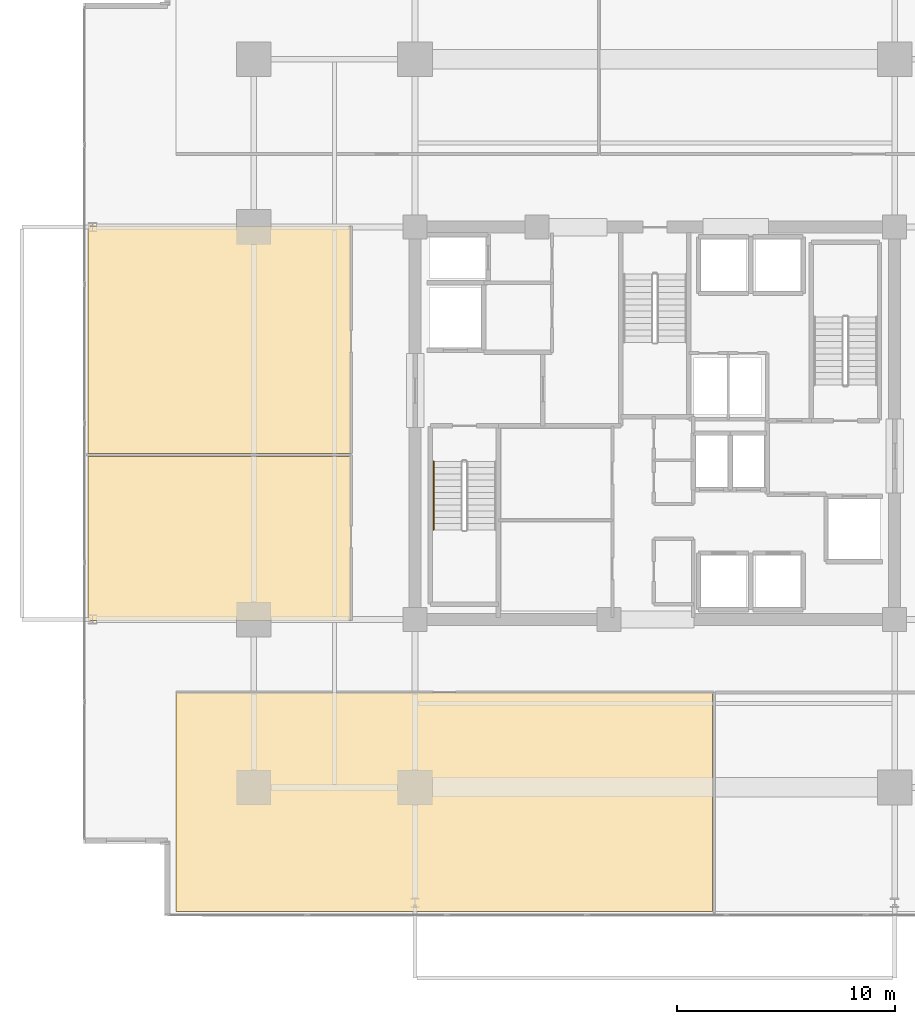
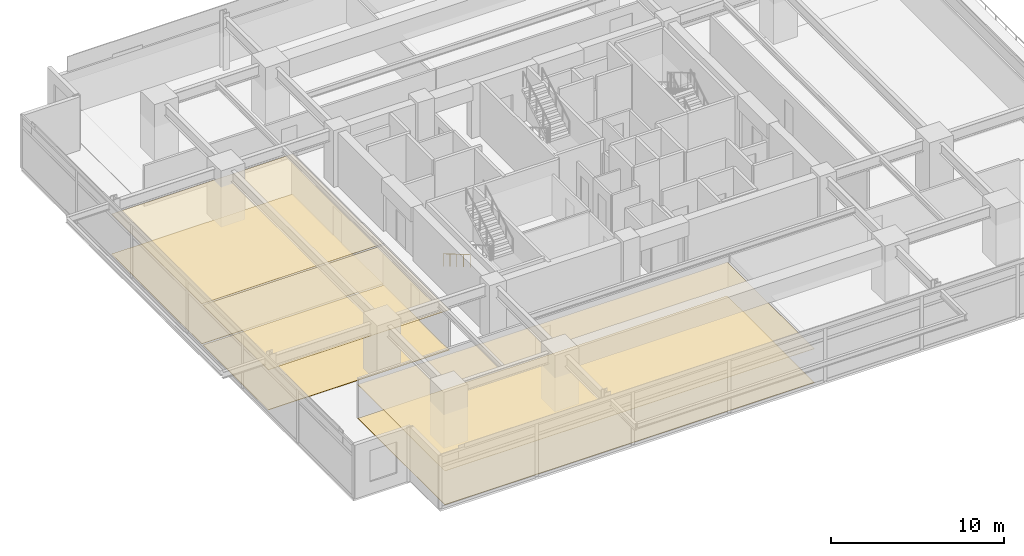
# One storey, part 20 of 24: 6 coverings, 1 railing.
"""IFC4 building model written with IfcOpenShell, lengths in metres."""

import ifcopenshell
import ifcopenshell.guid

model = None  # the IFC model being written
_history = None  # IfcOwnerHistory: only IFC2X3 demands one
_inside = {}  # id of a spatial element -> (the spatial element, [elements in it])
_under = {}  # id of a project, library or spatial element -> (it, [spatial elements below it])
_declared = {}  # id of a project -> (the project, [libraries it declares])
_typed = {}  # id of a type object -> (the type object, [elements of that type])
_made_of = {}  # id of a material, layer set ... -> (it, [elements and type objects made of it])


def new_model(schema):
    """Start an empty IFC model of exactly this schema.

    Asked for "IFC4X3", IfcOpenShell would pick the latest addendum, in which some entities
    have other attributes; the version numbers below select the first issue.
    IFC2X3 requires an IfcOwnerHistory on every rooted entity: one is made here for all.
    """
    global model, _history
    if schema == "IFC4X3":
        model = ifcopenshell.file(schema_version=(4, 3, 0, 0))
    else:
        model = ifcopenshell.file(schema=schema)
    _inside.clear()
    _under.clear()
    _declared.clear()
    _typed.clear()
    _made_of.clear()
    _history = None
    if model.schema == "IFC2X3":
        org = make("IfcOrganization", Name="unknown")
        user = make(
            "IfcPersonAndOrganization",
            ThePerson=make("IfcPerson", FamilyName="unknown"),
            TheOrganization=org,
        )
        app = make(
            "IfcApplication",
            ApplicationDeveloper=org,
            Version="unknown",
            ApplicationFullName="unknown",
            ApplicationIdentifier="unknown",
        )
        _history = make(
            "IfcOwnerHistory",
            OwningUser=user,
            OwningApplication=app,
            ChangeAction="ADDED",
            CreationDate=0,
        )
    return model


def make(cls, **values):
    """One entity of the class cls with the attributes given. An attribute that is None is left unset."""
    return model.create_entity(
        cls, **{name: value for name, value in values.items() if value is not None}
    )


def rooted(cls, **values):
    """An entity with a GlobalId (a new one), such as an element, a storey or a relation."""
    return make(cls, GlobalId=ifcopenshell.guid.new(), OwnerHistory=_history, **values)


def si_unit(unit_type, name, prefix=None):
    """IfcSIUnit, for example si_unit("LENGTHUNIT", "METRE", prefix="MILLI")."""
    return make("IfcSIUnit", UnitType=unit_type, Prefix=prefix, Name=name)


def assignment(units):
    """IfcUnitAssignment: the units of a project."""
    return None if units is None else make("IfcUnitAssignment", Units=units)


def point(xyz):
    """IfcCartesianPoint."""
    return None if xyz is None else make("IfcCartesianPoint", Coordinates=xyz)


def direction(xyz):
    """IfcDirection."""
    return None if xyz is None else make("IfcDirection", DirectionRatios=xyz)


def frame(location, z_axis=None, x_axis=None):
    """IfcAxis2Placement3D, a coordinate frame: its origin and axes. An axis left out is left unset."""
    return make(
        "IfcAxis2Placement3D",
        Location=point(location),
        Axis=direction(z_axis),
        RefDirection=direction(x_axis),
    )


def frame_2d(location, x_axis=None):
    """IfcAxis2Placement2D, a coordinate frame in the plane: its origin and x axis."""
    return make(
        "IfcAxis2Placement2D", Location=point(location), RefDirection=direction(x_axis)
    )


def origin():
    """The frame at (0, 0, 0) with its axes left unset."""
    return frame((0.0, 0.0, 0.0))


def origin_2d():
    """The frame at (0, 0) in the plane with its x axis left unset."""
    return frame_2d((0.0, 0.0))


def place(relative_to, where):
    """IfcLocalPlacement: puts the frame where relative to a parent placement (None: the world)."""
    return make(
        "IfcLocalPlacement", PlacementRelTo=relative_to, RelativePlacement=where
    )


def context(
    kind, dimensions, precision=None, world=None, true_north=None, identifier=None
):
    """IfcGeometricRepresentationContext, for example the 3D "Model" context."""
    return make(
        "IfcGeometricRepresentationContext",
        ContextIdentifier=identifier,
        ContextType=kind,
        CoordinateSpaceDimension=dimensions,
        Precision=precision,
        WorldCoordinateSystem=world,
        TrueNorth=true_north,
    )


def subcontext(parent, identifier, kind, view, scale=None):
    """IfcGeometricRepresentationSubContext, for example "Body" below "Model"."""
    return make(
        "IfcGeometricRepresentationSubContext",
        ContextIdentifier=identifier,
        ContextType=kind,
        ParentContext=parent,
        TargetScale=scale,
        TargetView=view,
    )


def project(units=None, contexts=None):
    """IfcProject with its units and contexts."""
    return rooted(
        "IfcProject",
        Name="project",
        RepresentationContexts=contexts,
        UnitsInContext=assignment(units),
    )


def spatial(cls, under=None, at=None, **own):
    """A site, building, storey or space (cls), placed at a placement, below another one or the project."""
    s = rooted(cls, ObjectPlacement=at, **own)
    if under is not None:
        _under.setdefault(under.id(), (under, []))[1].append(s)
    return s


def polyline(points):
    """IfcPolyline through the points."""
    return make("IfcPolyline", Points=[point(p) for p in points])


def profile(cls, at=None, kind="AREA", **sizes):
    """A parametric profile (cls). Its sizes go by their IFC names, for example OverallWidth=200.0."""
    return make(cls, ProfileType=kind, Position=at, **sizes)


def circle(**sizes):
    """IfcCircleProfileDef."""
    return profile("IfcCircleProfileDef", **sizes)


def outline(outer, holes=None, kind="AREA"):
    """IfcArbitraryClosedProfileDef: a profile drawn as a closed curve; with holes, ...WithVoids."""
    if holes is None:
        return make("IfcArbitraryClosedProfileDef", ProfileType=kind, OuterCurve=outer)
    return make(
        "IfcArbitraryProfileDefWithVoids",
        ProfileType=kind,
        OuterCurve=outer,
        InnerCurves=holes,
    )


def extrude(swept, where, along, depth):
    """IfcExtrudedAreaSolid: the profile swept, set in the frame where, extruded along a direction by depth."""
    return make(
        "IfcExtrudedAreaSolid",
        SweptArea=swept,
        Position=where,
        ExtrudedDirection=direction(along),
        Depth=depth,
    )


def shape(context_of_items, identifier, shape_type, items):
    """IfcShapeRepresentation: the items that make up one representation, for example the "Body"."""
    return make(
        "IfcShapeRepresentation",
        ContextOfItems=context_of_items,
        RepresentationIdentifier=identifier,
        RepresentationType=shape_type,
        Items=items,
    )


def material(Name=None, Category=None):
    """IfcMaterial."""
    return make("IfcMaterial", Name=Name, Category=Category)


def layer(
    of_material, thickness, ventilated=None, Name=None, Category=None, Priority=None
):
    """IfcMaterialLayer: one layer of a wall or slab, of a material (None: an air gap)."""
    return make(
        "IfcMaterialLayer",
        Material=of_material,
        LayerThickness=thickness,
        IsVentilated=ventilated,
        Name=Name,
        Category=Category,
        Priority=Priority,
    )


def layer_set(layers, Name=None):
    """IfcMaterialLayerSet."""
    return make("IfcMaterialLayerSet", MaterialLayers=layers, LayerSetName=Name)


def made_of(thing, what):
    """Note that an element or type object is made of a material, layer set ...; save() writes the relation."""
    if what is not None:
        _made_of.setdefault(what.id(), (what, []))[1].append(thing)
    return thing


def type_object(cls, material=None, **own):
    """A type object (cls), such as IfcWallType, which elements share."""
    return made_of(rooted(cls, **own), material)


def element(
    cls,
    number,
    at=None,
    inside=None,
    cuts=None,
    type_object=None,
    material=None,
    context=None,
    identifier="Body",
    shape_type=None,
    held_by="IfcProductDefinitionShape",
    body=None,
    shapes=None,
    **own,
):
    """One element of the class cls, such as IfcWall. Its Tag is "e" and its number.

    at: its placement. inside: the storey or other place that contains it. cuts: it is an
    opening in that element (IfcRelVoidsElement). A single representation is given by context,
    identifier, shape_type and body (its items); several are given by shapes. held_by: the class
    of the entity that holds the representations. save() writes the other relations.
    """
    e = rooted(cls, Tag="e%d" % number, ObjectPlacement=at, **own)
    if body is not None:
        shapes = [shape(context, identifier, shape_type, body)]
    if shapes is not None:
        e.Representation = make(held_by, Representations=shapes)
    if inside is not None:
        _inside.setdefault(inside.id(), (inside, []))[1].append(e)
    if cuts is not None:
        rooted(
            "IfcRelVoidsElement", RelatingBuildingElement=cuts, RelatedOpeningElement=e
        )
    if type_object is not None:
        _typed.setdefault(type_object.id(), (type_object, []))[1].append(e)
    return made_of(e, material)


def aggregate(whole, parts):
    """IfcRelAggregates: a whole, such as a stair, and the parts it consists of."""
    return rooted("IfcRelAggregates", RelatingObject=whole, RelatedObjects=parts)


def save(model, path):
    """Write the relations noted so far, then the file.

    IfcRelAggregates (storeys below a building ...), IfcRelContainedInSpatialStructure (elements
    in a storey), IfcRelDefinesByType, IfcRelAssociatesMaterial and IfcRelDeclares: one each for
    every whole, place, type object, material and project.
    """
    for whole, parts in _under.values():
        aggregate(whole, parts)
    for where, things in _inside.values():
        rooted(
            "IfcRelContainedInSpatialStructure",
            RelatedElements=things,
            RelatingStructure=where,
        )
    for kind, things in _typed.values():
        rooted("IfcRelDefinesByType", RelatedObjects=things, RelatingType=kind)
    for what, things in _made_of.values():
        rooted("IfcRelAssociatesMaterial", RelatedObjects=things, RelatingMaterial=what)
    for by, libraries in _declared.values():
        rooted("IfcRelDeclares", RelatingContext=by, RelatedDefinitions=libraries)
    model.write(path)


model = new_model("IFC4")

# Units and contexts
model_context = context("Model", 3, precision=1e-05, world=origin(), true_north=direction((0.0, 1.0)))
body_context = subcontext(model_context, "Body", "Model", "MODEL_VIEW")
ifc_project = project(units=[si_unit("LENGTHUNIT", "METRE"), si_unit("AREAUNIT", "SQUARE_METRE"), si_unit("VOLUMEUNIT", "CUBIC_METRE"), si_unit("PLANEANGLEUNIT", "RADIAN"), si_unit("MASSUNIT", "GRAM", prefix="KILO")], contexts=[model_context])

# Site, building, storey
site_placement = place(None, origin())
site = spatial("IfcSite", under=ifc_project, at=site_placement, CompositionType="ELEMENT")
building_placement = place(site_placement, origin())
building = spatial("IfcBuilding", under=site, at=building_placement, Name="Kovane Verandah Tower", CompositionType="ELEMENT")
storey_placement = place(building_placement, frame((0.0, 0.0, 132.39990234375)))
storey = spatial("IfcBuildingStorey", under=building, at=storey_placement, Name="L30", CompositionType="ELEMENT", Elevation=132.39990234375)

# Coverings
ifc_material_1 = material(Name="Perforated Acoustic Mineral-Fibre Ceiling Tile", Category="gypsum")
ifc_layer_1 = layer(ifc_material_1, 0.02490234375)
ifc_layer_set_1 = layer_set([ifc_layer_1], Name="Perforated Acoustic Mineral-Fibre Ceiling Tile")
covering_type_1 = type_object("IfcCoveringType", Name="CV-CEIL-25", PredefinedType="CEILING", material=ifc_layer_set_1)
covering_1_placement = place(storey_placement, frame((0.0, 0.0, 2.380126953125)))
element("IfcCovering", 1, at=covering_1_placement, inside=storey, type_object=covering_type_1, Name="L30 Meeting Room S1 Acoustic Ceiling", PredefinedType="CEILING", context=body_context, shape_type="SweptSolid", body=[
    extrude(outline(polyline([(18.03759765625, 5.09619140625), (42.650390625, 5.09619140625), (42.650390625, 15.14990234375), (18.03759765625, 15.14990234375), (18.03759765625, 5.09619140625)])), origin(), (0.0, 0.0, 1.0), 0.02490234375),
])
covering_2_placement = place(storey_placement, frame((0.0, 0.0, 2.8251953125)))
element("IfcCovering", 2, at=covering_2_placement, inside=storey, type_object=covering_type_1, Name="L30 Breakout Pantry W1 Acoustic Ceiling", PredefinedType="CEILING", context=body_context, shape_type="SweptSolid", body=[
    extrude(outline(polyline([(13.987548828125, 18.449951171875), (26.050048828125, 18.449951171875), (26.050048828125, 25.98193359375), (13.987548828125, 25.98193359375), (13.987548828125, 18.449951171875)])), origin(), (0.0, 0.0, 1.0), 0.02490234375),
])
covering_3_placement = place(storey_placement, frame((0.0, 0.0, 2.8251953125)))
element("IfcCovering", 3, at=covering_3_placement, inside=storey, type_object=covering_type_1, Name="L30 Collaboration Hub W2 Acoustic Ceiling", PredefinedType="CEILING", context=body_context, shape_type="SweptSolid", body=[
    extrude(outline(polyline([(13.987548828125, 26.1220703125), (26.050048828125, 26.1220703125), (26.050048828125, 36.550048828125), (13.987548828125, 36.550048828125), (13.987548828125, 26.1220703125)])), origin(), (0.0, 0.0, 1.0), 0.02490234375),
])
ifc_material_2 = material(Name="Polished Terrazzo and Raised-Access Carpet Tile Finish", Category="concrete")
ifc_layer_2 = layer(ifc_material_2, 0.030029296875)
ifc_layer_set_2 = layer_set([ifc_layer_2], Name="Polished Terrazzo and Raised-Access Carpet Tile Finish")
covering_type_2 = type_object("IfcCoveringType", Name="CV-FLOR-30", PredefinedType="FLOORING", material=ifc_layer_set_2)
covering_4_placement = place(storey_placement, origin())
element("IfcCovering", 4, at=covering_4_placement, inside=storey, type_object=covering_type_2, Name="L30 Meeting Room S1 Floor Finish", PredefinedType="FLOORING", context=body_context, shape_type="SweptSolid", body=[
    extrude(outline(polyline([(18.03759765625, 5.09619140625), (42.650390625, 5.09619140625), (42.650390625, 15.14990234375), (18.03759765625, 15.14990234375), (18.03759765625, 5.09619140625)])), origin(), (0.0, 0.0, 1.0), 0.030029296875),
])
covering_5_placement = place(storey_placement, origin())
element("IfcCovering", 5, at=covering_5_placement, inside=storey, type_object=covering_type_2, Name="L30 Breakout Pantry W1 Floor Finish", PredefinedType="FLOORING", context=body_context, shape_type="SweptSolid", body=[
    extrude(outline(polyline([(13.987548828125, 18.449951171875), (26.050048828125, 18.449951171875), (26.050048828125, 25.98193359375), (13.987548828125, 25.98193359375), (13.987548828125, 18.449951171875)])), origin(), (0.0, 0.0, 1.0), 0.030029296875),
])
covering_6_placement = place(storey_placement, origin())
element("IfcCovering", 6, at=covering_6_placement, inside=storey, type_object=covering_type_2, Name="L30 Collaboration Hub W2 Floor Finish", PredefinedType="FLOORING", context=body_context, shape_type="SweptSolid", body=[
    extrude(outline(polyline([(13.987548828125, 26.1220703125), (26.050048828125, 26.1220703125), (26.050048828125, 36.550048828125), (13.987548828125, 36.550048828125), (13.987548828125, 26.1220703125)])), origin(), (0.0, 0.0, 1.0), 0.030029296875),
])

# Railing
ifc_material_3 = material(Name="Brushed Stainless Steel Handrail", Category="steel")
railing_type = type_object("IfcRailingType", Name="RL-HAND-920", PredefinedType="HANDRAIL", material=ifc_material_3)
railing_placement = place(storey_placement, frame((29.85009765625, 25.75, 0.166748046875)))
element("IfcRailing", 7, at=railing_placement, inside=storey, type_object=railing_type, Name="L30 ST-01 stair handrail 1", PredefinedType="HANDRAIL", context=body_context, shape_type="SweptSolid", body=[
    extrude(circle(Radius=0.02392578125, at=origin_2d()), frame((0.0, 0.0, 0.8759765625), z_axis=(0.0, -0.863239559939, 0.504794475164), x_axis=(1.0, 0.0, 0.0)), (0.0, 0.0, 1.0), 3.631591796875),
    extrude(circle(Radius=0.02099609375, at=origin_2d()), origin(), (0.0, 0.0, 1.0), 0.851806640625),
    extrude(circle(Radius=0.02099609375, at=origin_2d()), frame((0.0, -0.78369140625, 0.458251953125)), (0.0, 0.0, 1.0), 0.851806640625),
    extrude(circle(Radius=0.02099609375, at=origin_2d()), frame((0.0, -1.5673828125, 0.91650390625)), (0.0, 0.0, 1.0), 0.851806640625),
    extrude(circle(Radius=0.02099609375, at=origin_2d()), frame((0.0, -2.351318359375, 1.375)), (0.0, 0.0, 1.0), 0.851806640625),
    extrude(circle(Radius=0.02099609375, at=origin_2d()), frame((0.0, -3.135009765625, 1.833251953125)), (0.0, 0.0, 1.0), 0.851806640625),
])

save(model, "model.ifc")
